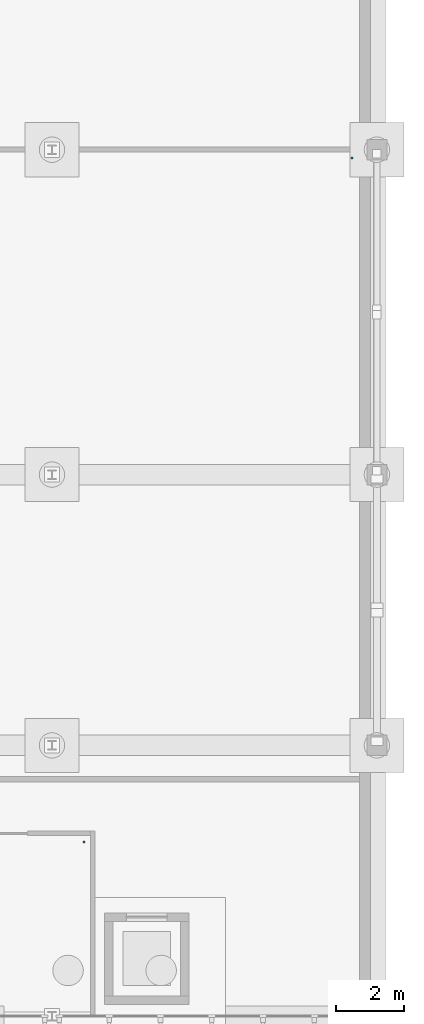
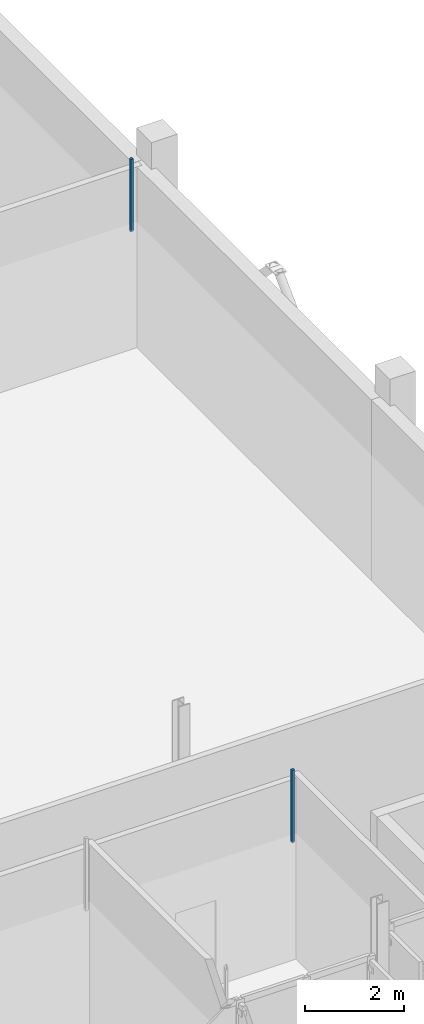
# One storey, part 92 of 111: 2 discrete accessories.
"""IFC4 building model written with IfcOpenShell, lengths in metres."""

from ifc_helpers import new_model, si_unit, direction, frame, origin, place, context, subcontext, project, spatial, polyline, outline, extrude, material, type_object, element, save


model = new_model("IFC4")

# Units and contexts
model_context = context("Model", 3, precision=1e-05, world=origin(), true_north=direction((0.0, 1.0)))
body_context = subcontext(model_context, "Body", "Model", "MODEL_VIEW")
ifc_project = project(units=[si_unit("LENGTHUNIT", "METRE"), si_unit("AREAUNIT", "SQUARE_METRE"), si_unit("VOLUMEUNIT", "CUBIC_METRE"), si_unit("PLANEANGLEUNIT", "RADIAN"), si_unit("MASSUNIT", "GRAM", prefix="KILO")], contexts=[model_context])

# Site, building, storey
site_placement = place(None, origin())
site = spatial("IfcSite", under=ifc_project, at=site_placement, CompositionType="ELEMENT")
building_placement = place(site_placement, origin())
building = spatial("IfcBuilding", under=site, at=building_placement, Name="Dunescarp Central Library", CompositionType="ELEMENT")
storey_placement = place(building_placement, origin())
storey = spatial("IfcBuildingStorey", under=building, at=storey_placement, Name="L00", CompositionType="ELEMENT", Elevation=0.0)

# Discrete accessories
ifc_material = material(Name="Stainless steel Grade 316L", Category="steel")
discrete_accessory_type = type_object("IfcDiscreteAccessoryType", Name="ARC-ACC-BRK", PredefinedType="BRACKET", material=ifc_material)
discrete_accessory_1_placement = place(storey_placement, frame((0.0, 0.0, 3.06005859375)))
element("IfcDiscreteAccessory", 1, at=discrete_accessory_1_placement, inside=storey, type_object=discrete_accessory_type, Name="L00 ceiling hanger CLG-L00-138-H2", PredefinedType="BRACKET", context=body_context, shape_type="SweptSolid", body=[
    extrude(outline(polyline([(159.320068359375, 9.919921875), (159.3798828125, 9.919921875), (159.3798828125, 9.97998046875), (159.320068359375, 9.97998046875), (159.320068359375, 9.919921875)])), origin(), (0.0, 0.0, 1.0), 1.780029296875),
])
discrete_accessory_2_placement = place(storey_placement, frame((0.0, 0.0, 3.06005859375)))
element("IfcDiscreteAccessory", 2, at=discrete_accessory_2_placement, inside=storey, type_object=discrete_accessory_type, Name="L00 ceiling hanger CLG-L00-143-H2", PredefinedType="BRACKET", context=body_context, shape_type="SweptSolid", body=[
    extrude(outline(polyline([(167.22998046875, 30.1201171875), (167.2900390625, 30.1201171875), (167.2900390625, 30.179931640625), (167.22998046875, 30.179931640625), (167.22998046875, 30.1201171875)])), origin(), (0.0, 0.0, 1.0), 1.780029296875),
])

save(model, "model.ifc")
